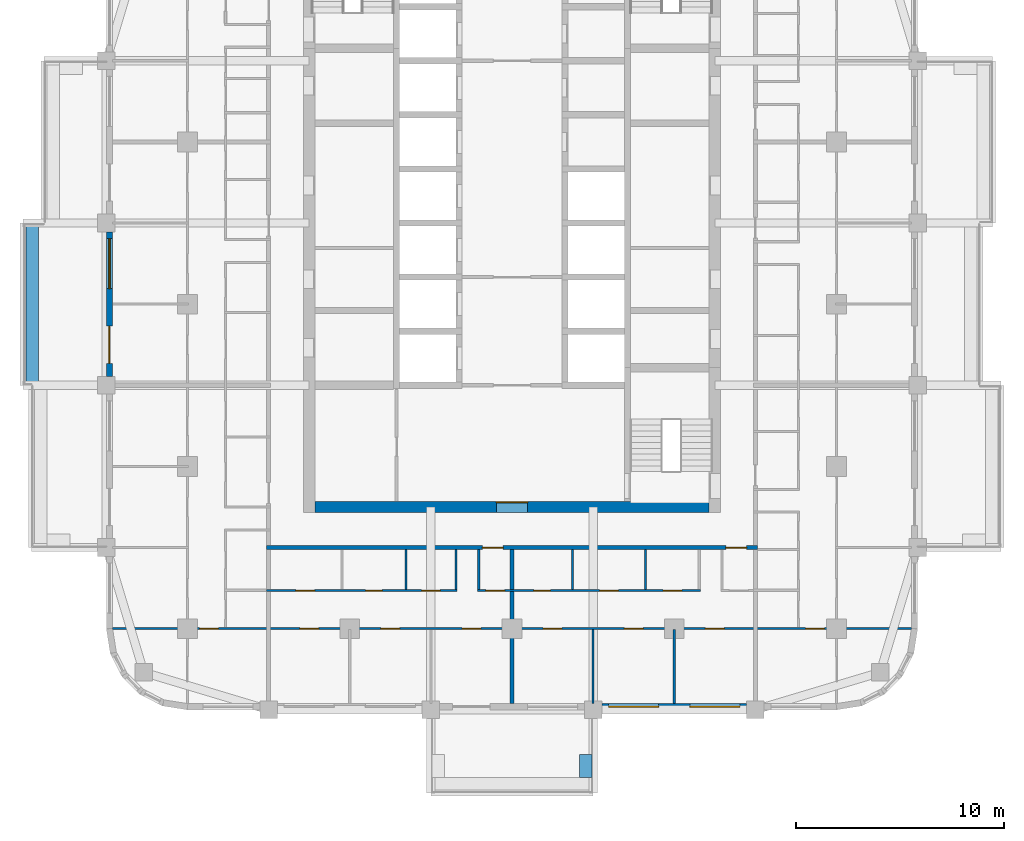
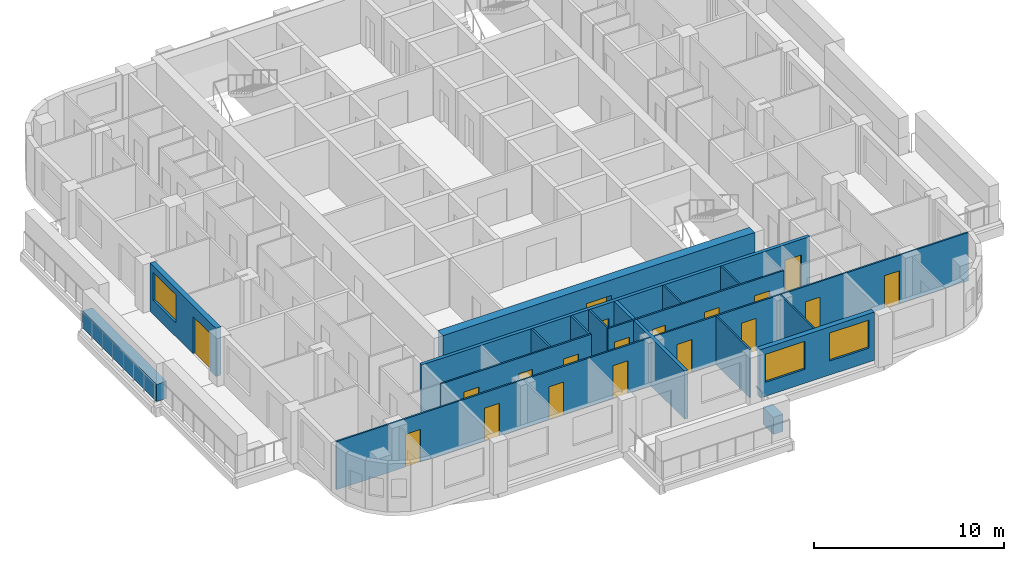
# One storey, part 3 of 14: 19 doors, 17 walls, 3 windows, 22 openings.
"""IFC4 building model written with IfcOpenShell, lengths in metres."""

from ifc_helpers import new_model, si_unit, direction, frame, frame_2d, origin, place, context, subcontext, project, spatial, rectangle, extrude, material, layer, layer_set, type_object, element, fill, save


model = new_model("IFC4")

# Units and contexts
model_context = context("Model", 3, precision=1e-05, world=origin(), true_north=direction((0.0, 1.0)))
body_context = subcontext(model_context, "Body", "Model", "MODEL_VIEW")
ifc_project = project(units=[si_unit("LENGTHUNIT", "METRE"), si_unit("AREAUNIT", "SQUARE_METRE"), si_unit("VOLUMEUNIT", "CUBIC_METRE"), si_unit("PLANEANGLEUNIT", "RADIAN"), si_unit("MASSUNIT", "GRAM", prefix="KILO")], contexts=[model_context])

# Site, building, storey
site_placement = place(None, origin())
site = spatial("IfcSite", under=ifc_project, at=site_placement, CompositionType="ELEMENT")
building_placement = place(site_placement, origin())
building = spatial("IfcBuilding", under=site, at=building_placement, Name="Ludao Terraces", CompositionType="ELEMENT")
storey_placement = place(building_placement, frame((0.0, 0.0, 113.5)))
storey = spatial("IfcBuildingStorey", under=building, at=storey_placement, Name="L31", CompositionType="ELEMENT", Elevation=113.5)

# Wall, opening, door
ifc_material_1 = material(Name="Concrete C60", Category="concrete")
ifc_layer_1 = layer(ifc_material_1, 0.550048828125)
ifc_layer_set_1 = layer_set([ifc_layer_1], Name="Core wall 550 C60")
wall_type_1 = type_object("IfcWallType", Name="Core wall 550 C60", PredefinedType="SOLIDWALL", material=ifc_layer_set_1)
wall_1_placement = place(storey_placement, frame((75.52490234375, 55.25, -0.25), z_axis=(0.0, 0.0, 1.0), x_axis=(1.0, 0.0, 0.0)))
wall_1 = element("IfcWall", 1, at=wall_1_placement, inside=storey, type_object=wall_type_1, Name="Core wall L31 outer-S", PredefinedType="SOLIDWALL", context=body_context, shape_type="SweptSolid", body=[
    extrude(rectangle(XDim=18.9501953125, YDim=0.550048828125, at=frame_2d((9.47509765625, 0.0))), origin(), (0.0, 0.0, 1.0), 3.35009765625),
])
opening_1_placement = place(wall_1_placement, frame((8.72509765625, 0.0, 0.25)))
opening_1 = element("IfcOpeningElement", 2, at=opening_1_placement, cuts=wall_1, Name="Opening R09-029", PredefinedType="OPENING", context=body_context, shape_type="SweptSolid", body=[
    extrude(rectangle(XDim=1.5, YDim=2.10009765625, at=frame_2d((0.75, 1.050048828125))), frame((0.0, 0.28515625, 0.0), z_axis=(0.0, -1.0, 0.0), x_axis=(1.0, 0.0, 0.0)), (0.0, 0.0, 1.0), 0.570068359375),
])
ifc_material_2 = material(Name="Steel Q235", Category="steel")
door_type_1 = type_object("IfcDoorType", Name="INT Lobby door 1500", OperationType="DOUBLE_DOOR_SINGLE_SWING", PredefinedType="DOOR", material=ifc_material_2)
door_1_placement = place(opening_1_placement, origin())
door_1 = element("IfcDoor", 3, at=door_1_placement, inside=storey, type_object=door_type_1, Name="DOOR 029", OperationType="DOUBLE_DOOR_SINGLE_SWING", OverallHeight=2.10009765625, OverallWidth=1.5, PredefinedType="DOOR", context=body_context, shape_type="SweptSolid", body=[
    extrude(rectangle(XDim=1.5, YDim=2.10009765625, at=frame_2d((0.75, 1.050048828125))), frame((0.0, 0.26025390625, 0.0), z_axis=(0.0, -1.0, 0.0), x_axis=(1.0, 0.0, 0.0)), (0.0, 0.0, 1.0), 0.050048828125),
])
fill(opening_1, door_1)

# Walls
ifc_material_3 = material(Name="Concrete C40", Category="concrete")
ifc_layer_2 = layer(ifc_material_3, 0.60009765625)
ifc_layer_set_2 = layer_set([ifc_layer_2], Name="ENV Planter trough 600")
wall_type_2 = type_object("IfcWallType", Name="ENV Planter trough 600", PredefinedType="USERDEFINED", material=ifc_layer_set_2)
wall_2_placement = place(storey_placement, frame((88.550048828125, 42.25, 0.0), z_axis=(0.0, 0.0, 1.0), x_axis=(0.0, 1.0, 0.0)))
element("IfcWall", 4, at=wall_2_placement, inside=storey, type_object=wall_type_2, Name="PL-L31-S1-SB", ObjectType="PLANTER", PredefinedType="USERDEFINED", context=body_context, shape_type="SweptSolid", body=[
    extrude(rectangle(XDim=1.10009765625, YDim=0.60009765625, at=frame_2d((0.550048828125, 0.0))), origin(), (0.0, 0.0, 1.0), 1.10009765625),
])
wall_3_placement = place(storey_placement, frame((61.949951171875, 61.10009765625, 0.0), z_axis=(0.0, 0.0, 1.0), x_axis=(0.0, 1.0, 0.0)))
element("IfcWall", 5, at=wall_3_placement, inside=storey, type_object=wall_type_2, Name="PL-L31-W2", ObjectType="PLANTER", PredefinedType="USERDEFINED", context=body_context, shape_type="SweptSolid", body=[
    extrude(rectangle(XDim=7.7998046875, YDim=0.60009765625, at=frame_2d((3.89990234375, 0.0))), origin(), (0.0, 0.0, 1.0), 1.10009765625),
])

# Wall, openings, windows
ifc_material_4 = material(Name="Granite cladding", Category="masonry")
ifc_layer_3 = layer(ifc_material_4, 0.0400390625, Category="stone")
ifc_material_5 = material(Name="Mineral wool")
ifc_layer_4 = layer(ifc_material_5, 0.06005859375)
ifc_layer_5 = layer(ifc_material_3, 0.199951171875, Category="concrete")
ifc_layer_set_3 = layer_set([ifc_layer_3, ifc_layer_4, ifc_layer_5], Name="ENV Stone-clad wall 300")
wall_type_3 = type_object("IfcWallType", Name="ENV Stone-clad wall 300", PredefinedType="SOLIDWALL", material=ifc_layer_set_3)
wall_4_placement = place(storey_placement, frame((89.324951171875, 45.64990234375, 0.0), z_axis=(0.0, 0.0, 1.0), x_axis=(1.0, 0.0, 0.0)))
wall_4 = element("IfcWall", 6, at=wall_4_placement, inside=storey, type_object=wall_type_3, Name="EW-L31-S4", PredefinedType="SOLIDWALL", context=body_context, shape_type="SweptSolid", body=[
    extrude(rectangle(XDim=6.949951171875, YDim=0.300048828125, at=frame_2d((3.47509765625, 0.0))), origin(), (0.0, 0.0, 1.0), 3.10009765625),
])
opening_2_placement = place(wall_4_placement, frame((0.324951171875, 0.0, 0.89990234375)))
opening_2 = element("IfcOpeningElement", 7, at=opening_2_placement, cuts=wall_4, Name="Opening W1", PredefinedType="OPENING", context=body_context, shape_type="SweptSolid", body=[
    extrude(rectangle(XDim=2.39990234375, YDim=1.800048828125, at=frame_2d((1.199951171875, 0.89990234375))), frame((0.0, 0.16015625, 0.0), z_axis=(0.0, -1.0, 0.0), x_axis=(1.0, 0.0, 0.0)), (0.0, 0.0, 1.0), 0.320068359375),
])
opening_3_placement = place(wall_4_placement, frame((4.22509765625, 0.0, 0.89990234375)))
opening_3 = element("IfcOpeningElement", 8, at=opening_3_placement, cuts=wall_4, Name="Opening W1", PredefinedType="OPENING", context=body_context, shape_type="SweptSolid", body=[
    extrude(rectangle(XDim=2.39990234375, YDim=1.800048828125, at=frame_2d((1.199951171875, 0.89990234375))), frame((0.0, 0.16015625, 0.0), z_axis=(0.0, -1.0, 0.0), x_axis=(1.0, 0.0, 0.0)), (0.0, 0.0, 1.0), 0.320068359375),
])
ifc_material_6 = material(Name="Clear glass in aluminium frame", Category="aluminium")
ifc_layer_6 = layer(ifc_material_6, 0.06005859375)
ifc_layer_set_4 = layer_set([ifc_layer_6], Name="ENV Window W1 2400x1800")
window_type = type_object("IfcWindowType", Name="ENV Window W1 2400x1800", PartitioningType="DOUBLE_PANEL_VERTICAL", PredefinedType="WINDOW", material=ifc_layer_set_4)
window_1_placement = place(opening_2_placement, origin())
window_1 = element("IfcWindow", 9, at=window_1_placement, inside=storey, type_object=window_type, Name="W-L31-S4-1", OverallHeight=1.800048828125, OverallWidth=2.39990234375, PartitioningType="DOUBLE_PANEL_VERTICAL", PredefinedType="WINDOW", context=body_context, shape_type="SweptSolid", body=[
    extrude(rectangle(XDim=2.39990234375, YDim=1.800048828125, at=frame_2d((1.199951171875, 0.89990234375))), frame((0.0, 0.030029296875, 0.0), z_axis=(0.0, -1.0, 0.0), x_axis=(1.0, 0.0, 0.0)), (0.0, 0.0, 1.0), 0.06005859375),
])
fill(opening_2, window_1)
window_2_placement = place(opening_3_placement, origin())
window_2 = element("IfcWindow", 10, at=window_2_placement, inside=storey, type_object=window_type, Name="W-L31-S4-2", OverallHeight=1.800048828125, OverallWidth=2.39990234375, PartitioningType="DOUBLE_PANEL_VERTICAL", PredefinedType="WINDOW", context=body_context, shape_type="SweptSolid", body=[
    extrude(rectangle(XDim=2.39990234375, YDim=1.800048828125, at=frame_2d((1.199951171875, 0.89990234375))), frame((0.0, 0.030029296875, 0.0), z_axis=(0.0, -1.0, 0.0), x_axis=(1.0, 0.0, 0.0)), (0.0, 0.0, 1.0), 0.06005859375),
])
fill(opening_3, window_2)

# Wall, openings, door, window
wall_5_placement = place(storey_placement, frame((65.64990234375, 61.52490234375, 0.0), z_axis=(0.0, 0.0, 1.0), x_axis=(0.0, 1.0, 0.0)))
wall_5 = element("IfcWall", 11, at=wall_5_placement, inside=storey, type_object=wall_type_3, Name="EW-L31-W3", PredefinedType="SOLIDWALL", context=body_context, shape_type="SweptSolid", body=[
    extrude(rectangle(XDim=6.9501953125, YDim=0.300048828125, at=frame_2d((3.47509765625, 0.0))), origin(), (0.0, 0.0, 1.0), 3.10009765625),
])
opening_4_placement = place(wall_5_placement, frame((0.625, 0.0, 0.0)))
opening_4 = element("IfcOpeningElement", 12, at=opening_4_placement, cuts=wall_5, Name="Opening BD", PredefinedType="OPENING", context=body_context, shape_type="SweptSolid", body=[
    extrude(rectangle(XDim=1.800048828125, YDim=2.39990234375, at=frame_2d((0.89990234375, 1.199951171875))), frame((0.0, 0.16015625, 0.0), z_axis=(0.0, -1.0, 0.0), x_axis=(1.0, 0.0, 0.0)), (0.0, 0.0, 1.0), 0.320068359375),
])
opening_5_placement = place(wall_5_placement, frame((4.22509765625, 0.0, 0.89990234375)))
opening_5 = element("IfcOpeningElement", 13, at=opening_5_placement, cuts=wall_5, Name="Opening W1", PredefinedType="OPENING", context=body_context, shape_type="SweptSolid", body=[
    extrude(rectangle(XDim=2.39990234375, YDim=1.800048828125, at=frame_2d((1.199951171875, 0.89990234375))), frame((0.0, 0.16015625, 0.0), z_axis=(0.0, -1.0, 0.0), x_axis=(1.0, 0.0, 0.0)), (0.0, 0.0, 1.0), 0.320068359375),
])
ifc_material_7 = material(Name="Aluminium glazed door", Category="aluminium")
ifc_layer_7 = layer(ifc_material_7, 0.06005859375)
ifc_layer_set_5 = layer_set([ifc_layer_7], Name="ENV Balcony door BD 1800x2400")
door_type_2 = type_object("IfcDoorType", Name="ENV Balcony door BD 1800x2400", OperationType="DOUBLE_DOOR_SINGLE_SWING", PredefinedType="DOOR", material=ifc_layer_set_5)
door_2_placement = place(opening_4_placement, origin())
door_2 = element("IfcDoor", 14, at=door_2_placement, inside=storey, type_object=door_type_2, Name="BD-L31-W3-1", OperationType="DOUBLE_DOOR_SINGLE_SWING", OverallHeight=2.39990234375, OverallWidth=1.800048828125, PredefinedType="DOOR", context=body_context, shape_type="SweptSolid", body=[
    extrude(rectangle(XDim=1.800048828125, YDim=2.39990234375, at=frame_2d((0.89990234375, 1.199951171875))), frame((0.0, 0.02490234375, 0.0), z_axis=(0.0, -1.0, 0.0), x_axis=(1.0, 0.0, 0.0)), (0.0, 0.0, 1.0), 0.050048828125),
])
fill(opening_4, door_2)
window_3_placement = place(opening_5_placement, origin())
window_3 = element("IfcWindow", 15, at=window_3_placement, inside=storey, type_object=window_type, Name="W-L31-W3-2", OverallHeight=1.800048828125, OverallWidth=2.39990234375, PartitioningType="DOUBLE_PANEL_VERTICAL", PredefinedType="WINDOW", context=body_context, shape_type="SweptSolid", body=[
    extrude(rectangle(XDim=2.39990234375, YDim=1.800048828125, at=frame_2d((1.199951171875, 0.89990234375))), frame((0.0, 0.030029296875, 0.0), z_axis=(0.0, -1.0, 0.0), x_axis=(1.0, 0.0, 0.0)), (0.0, 0.0, 1.0), 0.06005859375),
])
fill(opening_5, window_3)

# Wall, openings, doors
ifc_material_8 = material(Name="Autoclaved aerated concrete block B06 A3.5", Category="concrete")
ifc_layer_8 = layer(ifc_material_8, 0.199951171875)
ifc_layer_set_6 = layer_set([ifc_layer_8], Name="INT Entrance wall 200")
wall_type_4 = type_object("IfcWallType", Name="INT Entrance wall 200", PredefinedType="PARTITIONING", material=ifc_layer_set_6)
wall_6_placement = place(storey_placement, frame((73.2001953125, 53.300048828125, 0.0), z_axis=(0.0, 0.0, 1.0), x_axis=(1.0, 0.0, 0.0)))
wall_6 = element("IfcWall", 16, at=wall_6_placement, inside=storey, type_object=wall_type_4, Name="PW-L31-PW008", PredefinedType="PARTITIONING", context=body_context, shape_type="SweptSolid", body=[
    extrude(rectangle(XDim=23.599853515625, YDim=0.199951171875, at=frame_2d((11.7998046875, 0.0))), origin(), (0.0, 0.0, 1.0), 3.10009765625),
])
opening_6_placement = place(wall_6_placement, frame((10.375, 0.0, 0.0)))
opening_6 = element("IfcOpeningElement", 17, at=opening_6_placement, cuts=wall_6, Name="Opening R09-025", PredefinedType="OPENING", context=body_context, shape_type="SweptSolid", body=[
    extrude(rectangle(XDim=1.0, YDim=2.10009765625, at=frame_2d((0.5, 1.050048828125))), frame((0.0, 0.10986328125, 0.0), z_axis=(0.0, -1.0, 0.0), x_axis=(1.0, 0.0, 0.0)), (0.0, 0.0, 1.0), 0.219970703125),
])
opening_7_placement = place(wall_6_placement, frame((22.074951171875, 0.0, 0.0)))
opening_7 = element("IfcOpeningElement", 18, at=opening_7_placement, cuts=wall_6, Name="Opening R09-026", PredefinedType="OPENING", context=body_context, shape_type="SweptSolid", body=[
    extrude(rectangle(XDim=1.0, YDim=2.10009765625, at=frame_2d((0.5, 1.050048828125))), frame((0.0, 0.10986328125, 0.0), z_axis=(0.0, -1.0, 0.0), x_axis=(1.0, 0.0, 0.0)), (0.0, 0.0, 1.0), 0.219970703125),
])
door_type_3 = type_object("IfcDoorType", Name="INT Flat entrance door 1000", OperationType="SINGLE_SWING_LEFT", PredefinedType="DOOR", material=ifc_material_2)
door_3_placement = place(opening_6_placement, origin())
door_3 = element("IfcDoor", 19, at=door_3_placement, inside=storey, type_object=door_type_3, Name="DOOR 025", OperationType="SINGLE_SWING_LEFT", OverallHeight=2.10009765625, OverallWidth=1.0, PredefinedType="DOOR", context=body_context, shape_type="SweptSolid", body=[
    extrude(rectangle(XDim=1.0, YDim=2.10009765625, at=frame_2d((0.5, 1.050048828125))), frame((0.0, 0.02490234375, 0.0), z_axis=(0.0, -1.0, 0.0), x_axis=(1.0, 0.0, 0.0)), (0.0, 0.0, 1.0), 0.050048828125),
])
fill(opening_6, door_3)
door_4_placement = place(opening_7_placement, origin())
door_4 = element("IfcDoor", 20, at=door_4_placement, inside=storey, type_object=door_type_3, Name="DOOR 026", OperationType="SINGLE_SWING_LEFT", OverallHeight=2.10009765625, OverallWidth=1.0, PredefinedType="DOOR", context=body_context, shape_type="SweptSolid", body=[
    extrude(rectangle(XDim=1.0, YDim=2.10009765625, at=frame_2d((0.5, 1.050048828125))), frame((0.0, 0.02490234375, 0.0), z_axis=(0.0, -1.0, 0.0), x_axis=(1.0, 0.0, 0.0)), (0.0, 0.0, 1.0), 0.050048828125),
])
fill(opening_7, door_4)

ifc_material_9 = material(Name="Gypsum plasterboard", Category="gypsum")
ifc_layer_9 = layer(ifc_material_9, 0.012451171875, Category="gypsum")
ifc_layer_10 = layer(ifc_material_5, 0.06005859375, Name="insulation")
ifc_layer_11 = layer(ifc_material_2, 0.014892578125, Name="stud")
ifc_layer_12 = layer(ifc_material_9, 0.012451171875, Category="gypsum")
ifc_layer_set_7 = layer_set([ifc_layer_9, ifc_layer_10, ifc_layer_11, ifc_layer_12], Name="INT Partition 100")
wall_type_5 = type_object("IfcWallType", Name="INT Partition 100", PredefinedType="PARTITIONING", material=ifc_layer_set_7)
wall_7_placement = place(storey_placement, frame((65.800048828125, 49.39990234375, 0.0), z_axis=(0.0, 0.0, 1.0), x_axis=(1.0, 0.0, 0.0)))
wall_7 = element("IfcWall", 21, at=wall_7_placement, inside=storey, type_object=wall_type_5, Name="PW-L31-PW000", PredefinedType="PARTITIONING", context=body_context, shape_type="SweptSolid", body=[
    extrude(rectangle(XDim=38.400146484375, YDim=0.10009765625, at=frame_2d((19.2001953125, 0.0))), origin(), (0.0, 0.0, 1.0), 3.10009765625),
])
opening_8_placement = place(wall_7_placement, frame((4.18994140625, 0.0, 0.0)))
opening_8 = element("IfcOpeningElement", 22, at=opening_8_placement, cuts=wall_7, Name="Opening R09-003", PredefinedType="OPENING", context=body_context, shape_type="SweptSolid", body=[
    extrude(rectangle(XDim=0.89990234375, YDim=2.10009765625, at=frame_2d((0.449951171875, 1.050048828125))), frame((0.0, 0.06005859375, 0.0), z_axis=(0.0, -1.0, 0.0), x_axis=(1.0, 0.0, 0.0)), (0.0, 0.0, 1.0), 0.1201171875),
])
opening_9_placement = place(wall_7_placement, frame((9.0, 0.0, 0.0)))
opening_9 = element("IfcOpeningElement", 23, at=opening_9_placement, cuts=wall_7, Name="Opening R09-004", PredefinedType="OPENING", context=body_context, shape_type="SweptSolid", body=[
    extrude(rectangle(XDim=0.89990234375, YDim=2.10009765625, at=frame_2d((0.449951171875, 1.050048828125))), frame((0.0, 0.06005859375, 0.0), z_axis=(0.0, -1.0, 0.0), x_axis=(1.0, 0.0, 0.0)), (0.0, 0.0, 1.0), 0.1201171875),
])
opening_10_placement = place(wall_7_placement, frame((12.89990234375, 0.0, 0.0)))
opening_10 = element("IfcOpeningElement", 24, at=opening_10_placement, cuts=wall_7, Name="Opening R09-005", PredefinedType="OPENING", context=body_context, shape_type="SweptSolid", body=[
    extrude(rectangle(XDim=0.89990234375, YDim=2.10009765625, at=frame_2d((0.449951171875, 1.050048828125))), frame((0.0, 0.06005859375, 0.0), z_axis=(0.0, -1.0, 0.0), x_axis=(1.0, 0.0, 0.0)), (0.0, 0.0, 1.0), 0.1201171875),
])
opening_11_placement = place(wall_7_placement, frame((16.800048828125, 0.0, 0.0)))
opening_11 = element("IfcOpeningElement", 25, at=opening_11_placement, cuts=wall_7, Name="Opening R09-006", PredefinedType="OPENING", context=body_context, shape_type="SweptSolid", body=[
    extrude(rectangle(XDim=0.89990234375, YDim=2.10009765625, at=frame_2d((0.449951171875, 1.050048828125))), frame((0.0, 0.06005859375, 0.0), z_axis=(0.0, -1.0, 0.0), x_axis=(1.0, 0.0, 0.0)), (0.0, 0.0, 1.0), 0.1201171875),
])
opening_12_placement = place(wall_7_placement, frame((20.699951171875, 0.0, 0.0)))
opening_12 = element("IfcOpeningElement", 26, at=opening_12_placement, cuts=wall_7, Name="Opening R09-007", PredefinedType="OPENING", context=body_context, shape_type="SweptSolid", body=[
    extrude(rectangle(XDim=0.89990234375, YDim=2.10009765625, at=frame_2d((0.449951171875, 1.050048828125))), frame((0.0, 0.06005859375, 0.0), z_axis=(0.0, -1.0, 0.0), x_axis=(1.0, 0.0, 0.0)), (0.0, 0.0, 1.0), 0.1201171875),
])
opening_13_placement = place(wall_7_placement, frame((24.60009765625, 0.0, 0.0)))
opening_13 = element("IfcOpeningElement", 27, at=opening_13_placement, cuts=wall_7, Name="Opening R09-008", PredefinedType="OPENING", context=body_context, shape_type="SweptSolid", body=[
    extrude(rectangle(XDim=0.89990234375, YDim=2.10009765625, at=frame_2d((0.449951171875, 1.050048828125))), frame((0.0, 0.06005859375, 0.0), z_axis=(0.0, -1.0, 0.0), x_axis=(1.0, 0.0, 0.0)), (0.0, 0.0, 1.0), 0.1201171875),
])
opening_14_placement = place(wall_7_placement, frame((28.5, 0.0, 0.0)))
opening_14 = element("IfcOpeningElement", 28, at=opening_14_placement, cuts=wall_7, Name="Opening R09-009", PredefinedType="OPENING", context=body_context, shape_type="SweptSolid", body=[
    extrude(rectangle(XDim=0.89990234375, YDim=2.10009765625, at=frame_2d((0.449951171875, 1.050048828125))), frame((0.0, 0.06005859375, 0.0), z_axis=(0.0, -1.0, 0.0), x_axis=(1.0, 0.0, 0.0)), (0.0, 0.0, 1.0), 0.1201171875),
])
opening_15_placement = place(wall_7_placement, frame((33.31005859375, 0.0, 0.0)))
opening_15 = element("IfcOpeningElement", 29, at=opening_15_placement, cuts=wall_7, Name="Opening R09-010", PredefinedType="OPENING", context=body_context, shape_type="SweptSolid", body=[
    extrude(rectangle(XDim=0.89990234375, YDim=2.10009765625, at=frame_2d((0.449951171875, 1.050048828125))), frame((0.0, 0.06005859375, 0.0), z_axis=(0.0, -1.0, 0.0), x_axis=(1.0, 0.0, 0.0)), (0.0, 0.0, 1.0), 0.1201171875),
])
ifc_material_10 = material(Name="Timber door leaf", Category="wood")
door_type_4 = type_object("IfcDoorType", Name="INT Room door 900", OperationType="SINGLE_SWING_LEFT", PredefinedType="DOOR", material=ifc_material_10)
door_5_placement = place(opening_8_placement, origin())
door_5 = element("IfcDoor", 30, at=door_5_placement, inside=storey, type_object=door_type_4, Name="DOOR 003", OperationType="SINGLE_SWING_RIGHT", OverallHeight=2.10009765625, OverallWidth=0.89990234375, PredefinedType="DOOR", context=body_context, shape_type="SweptSolid", body=[
    extrude(rectangle(XDim=0.89990234375, YDim=2.10009765625, at=frame_2d((0.449951171875, 1.050048828125))), frame((0.0, 0.02490234375, 0.0), z_axis=(0.0, -1.0, 0.0), x_axis=(1.0, 0.0, 0.0)), (0.0, 0.0, 1.0), 0.050048828125),
])
fill(opening_8, door_5)
door_6_placement = place(opening_9_placement, origin())
door_6 = element("IfcDoor", 31, at=door_6_placement, inside=storey, type_object=door_type_4, Name="DOOR 004", OperationType="SINGLE_SWING_RIGHT", OverallHeight=2.10009765625, OverallWidth=0.89990234375, PredefinedType="DOOR", context=body_context, shape_type="SweptSolid", body=[
    extrude(rectangle(XDim=0.89990234375, YDim=2.10009765625, at=frame_2d((0.449951171875, 1.050048828125))), frame((0.0, 0.02490234375, 0.0), z_axis=(0.0, -1.0, 0.0), x_axis=(1.0, 0.0, 0.0)), (0.0, 0.0, 1.0), 0.050048828125),
])
fill(opening_9, door_6)
door_7_placement = place(opening_10_placement, origin())
door_7 = element("IfcDoor", 32, at=door_7_placement, inside=storey, type_object=door_type_4, Name="DOOR 005", OperationType="SINGLE_SWING_RIGHT", OverallHeight=2.10009765625, OverallWidth=0.89990234375, PredefinedType="DOOR", context=body_context, shape_type="SweptSolid", body=[
    extrude(rectangle(XDim=0.89990234375, YDim=2.10009765625, at=frame_2d((0.449951171875, 1.050048828125))), frame((0.0, 0.02490234375, 0.0), z_axis=(0.0, -1.0, 0.0), x_axis=(1.0, 0.0, 0.0)), (0.0, 0.0, 1.0), 0.050048828125),
])
fill(opening_10, door_7)
door_8_placement = place(opening_11_placement, origin())
door_8 = element("IfcDoor", 33, at=door_8_placement, inside=storey, type_object=door_type_4, Name="DOOR 006", OperationType="SINGLE_SWING_LEFT", OverallHeight=2.10009765625, OverallWidth=0.89990234375, PredefinedType="DOOR", context=body_context, shape_type="SweptSolid", body=[
    extrude(rectangle(XDim=0.89990234375, YDim=2.10009765625, at=frame_2d((0.449951171875, 1.050048828125))), frame((0.0, 0.02490234375, 0.0), z_axis=(0.0, -1.0, 0.0), x_axis=(1.0, 0.0, 0.0)), (0.0, 0.0, 1.0), 0.050048828125),
])
fill(opening_11, door_8)
door_9_placement = place(opening_12_placement, origin())
door_9 = element("IfcDoor", 34, at=door_9_placement, inside=storey, type_object=door_type_4, Name="DOOR 007", OperationType="SINGLE_SWING_RIGHT", OverallHeight=2.10009765625, OverallWidth=0.89990234375, PredefinedType="DOOR", context=body_context, shape_type="SweptSolid", body=[
    extrude(rectangle(XDim=0.89990234375, YDim=2.10009765625, at=frame_2d((0.449951171875, 1.050048828125))), frame((0.0, 0.02490234375, 0.0), z_axis=(0.0, -1.0, 0.0), x_axis=(1.0, 0.0, 0.0)), (0.0, 0.0, 1.0), 0.050048828125),
])
fill(opening_12, door_9)
door_10_placement = place(opening_13_placement, origin())
door_10 = element("IfcDoor", 35, at=door_10_placement, inside=storey, type_object=door_type_4, Name="DOOR 008", OperationType="SINGLE_SWING_RIGHT", OverallHeight=2.10009765625, OverallWidth=0.89990234375, PredefinedType="DOOR", context=body_context, shape_type="SweptSolid", body=[
    extrude(rectangle(XDim=0.89990234375, YDim=2.10009765625, at=frame_2d((0.449951171875, 1.050048828125))), frame((0.0, 0.02490234375, 0.0), z_axis=(0.0, -1.0, 0.0), x_axis=(1.0, 0.0, 0.0)), (0.0, 0.0, 1.0), 0.050048828125),
])
fill(opening_13, door_10)
door_11_placement = place(opening_14_placement, origin())
door_11 = element("IfcDoor", 36, at=door_11_placement, inside=storey, type_object=door_type_4, Name="DOOR 009", OperationType="SINGLE_SWING_LEFT", OverallHeight=2.10009765625, OverallWidth=0.89990234375, PredefinedType="DOOR", context=body_context, shape_type="SweptSolid", body=[
    extrude(rectangle(XDim=0.89990234375, YDim=2.10009765625, at=frame_2d((0.449951171875, 1.050048828125))), frame((0.0, 0.02490234375, 0.0), z_axis=(0.0, -1.0, 0.0), x_axis=(1.0, 0.0, 0.0)), (0.0, 0.0, 1.0), 0.050048828125),
])
fill(opening_14, door_11)
door_12_placement = place(opening_15_placement, origin())
door_12 = element("IfcDoor", 37, at=door_12_placement, inside=storey, type_object=door_type_4, Name="DOOR 010", OperationType="SINGLE_SWING_LEFT", OverallHeight=2.10009765625, OverallWidth=0.89990234375, PredefinedType="DOOR", context=body_context, shape_type="SweptSolid", body=[
    extrude(rectangle(XDim=0.89990234375, YDim=2.10009765625, at=frame_2d((0.449951171875, 1.050048828125))), frame((0.0, 0.02490234375, 0.0), z_axis=(0.0, -1.0, 0.0), x_axis=(1.0, 0.0, 0.0)), (0.0, 0.0, 1.0), 0.050048828125),
])
fill(opening_15, door_12)

wall_8_placement = place(storey_placement, frame((73.2001953125, 51.22998046875, 0.0), z_axis=(0.0, 0.0, 1.0), x_axis=(1.0, 0.0, 0.0)))
wall_8 = element("IfcWall", 38, at=wall_8_placement, inside=storey, type_object=wall_type_5, Name="PW-L31-PW001", PredefinedType="PARTITIONING", context=body_context, shape_type="SweptSolid", body=[
    extrude(rectangle(XDim=9.14990234375, YDim=0.10009765625, at=frame_2d((4.574951171875, 0.0))), origin(), (0.0, 0.0, 1.0), 3.10009765625),
])
opening_16_placement = place(wall_8_placement, frame((1.409912109375, 0.0, 0.0)))
opening_16 = element("IfcOpeningElement", 39, at=opening_16_placement, cuts=wall_8, Name="Opening R09-013", PredefinedType="OPENING", context=body_context, shape_type="SweptSolid", body=[
    extrude(rectangle(XDim=0.89990234375, YDim=2.10009765625, at=frame_2d((0.449951171875, 1.050048828125))), frame((0.0, 0.06005859375, 0.0), z_axis=(0.0, -1.0, 0.0), x_axis=(1.0, 0.0, 0.0)), (0.0, 0.0, 1.0), 0.1201171875),
])
opening_17_placement = place(wall_8_placement, frame((4.760009765625, 0.0, 0.0)))
opening_17 = element("IfcOpeningElement", 40, at=opening_17_placement, cuts=wall_8, Name="Opening R09-014", PredefinedType="OPENING", context=body_context, shape_type="SweptSolid", body=[
    extrude(rectangle(XDim=0.800048828125, YDim=2.10009765625, at=frame_2d((0.39990234375, 1.050048828125))), frame((0.0, 0.06005859375, 0.0), z_axis=(0.0, -1.0, 0.0), x_axis=(1.0, 0.0, 0.0)), (0.0, 0.0, 1.0), 0.1201171875),
])
opening_18_placement = place(wall_8_placement, frame((7.449951171875, 0.0, 0.0)))
opening_18 = element("IfcOpeningElement", 41, at=opening_18_placement, cuts=wall_8, Name="Opening R09-015", PredefinedType="OPENING", context=body_context, shape_type="SweptSolid", body=[
    extrude(rectangle(XDim=0.89990234375, YDim=2.10009765625, at=frame_2d((0.449951171875, 1.050048828125))), frame((0.0, 0.06005859375, 0.0), z_axis=(0.0, -1.0, 0.0), x_axis=(1.0, 0.0, 0.0)), (0.0, 0.0, 1.0), 0.1201171875),
])
door_type_5 = type_object("IfcDoorType", Name="INT Bathroom door 900", OperationType="SINGLE_SWING_LEFT", PredefinedType="DOOR", material=ifc_material_10)
door_13_placement = place(opening_18_placement, origin())
door_13 = element("IfcDoor", 42, at=door_13_placement, inside=storey, type_object=door_type_5, Name="DOOR 015", OperationType="SINGLE_SWING_LEFT", OverallHeight=2.10009765625, OverallWidth=0.89990234375, PredefinedType="DOOR", context=body_context, shape_type="SweptSolid", body=[
    extrude(rectangle(XDim=0.89990234375, YDim=2.10009765625, at=frame_2d((0.449951171875, 1.050048828125))), frame((0.0, 0.02490234375, 0.0), z_axis=(0.0, -1.0, 0.0), x_axis=(1.0, 0.0, 0.0)), (0.0, 0.0, 1.0), 0.050048828125),
])
fill(opening_18, door_13)
door_14_placement = place(opening_16_placement, origin())
door_14 = element("IfcDoor", 43, at=door_14_placement, inside=storey, type_object=door_type_4, Name="DOOR 013", OperationType="SINGLE_SWING_LEFT", OverallHeight=2.10009765625, OverallWidth=0.89990234375, PredefinedType="DOOR", context=body_context, shape_type="SweptSolid", body=[
    extrude(rectangle(XDim=0.89990234375, YDim=2.10009765625, at=frame_2d((0.449951171875, 1.050048828125))), frame((0.0, 0.02490234375, 0.0), z_axis=(0.0, -1.0, 0.0), x_axis=(1.0, 0.0, 0.0)), (0.0, 0.0, 1.0), 0.050048828125),
])
fill(opening_16, door_14)
door_type_6 = type_object("IfcDoorType", Name="INT Store door 800", OperationType="SINGLE_SWING_LEFT", PredefinedType="DOOR", material=ifc_material_10)
door_15_placement = place(opening_17_placement, origin())
door_15 = element("IfcDoor", 44, at=door_15_placement, inside=storey, type_object=door_type_6, Name="DOOR 014", OperationType="SINGLE_SWING_LEFT", OverallHeight=2.10009765625, OverallWidth=0.800048828125, PredefinedType="DOOR", context=body_context, shape_type="SweptSolid", body=[
    extrude(rectangle(XDim=0.800048828125, YDim=2.10009765625, at=frame_2d((0.39990234375, 1.050048828125))), frame((0.0, 0.02490234375, 0.0), z_axis=(0.0, -1.0, 0.0), x_axis=(1.0, 0.0, 0.0)), (0.0, 0.0, 1.0), 0.050048828125),
])
fill(opening_17, door_15)

wall_9_placement = place(storey_placement, frame((83.35009765625, 51.22998046875, 0.0), z_axis=(0.0, 0.0, 1.0), x_axis=(1.0, 0.0, 0.0)))
wall_9 = element("IfcWall", 45, at=wall_9_placement, inside=storey, type_object=wall_type_5, Name="PW-L31-PW002", PredefinedType="PARTITIONING", context=body_context, shape_type="SweptSolid", body=[
    extrude(rectangle(XDim=10.699951171875, YDim=0.10009765625, at=frame_2d((5.35009765625, 0.0))), origin(), (0.0, 0.0, 1.0), 3.10009765625),
])
opening_19_placement = place(wall_9_placement, frame((0.39990234375, 0.0, 0.0)))
opening_19 = element("IfcOpeningElement", 46, at=opening_19_placement, cuts=wall_9, Name="Opening R09-016", PredefinedType="OPENING", context=body_context, shape_type="SweptSolid", body=[
    extrude(rectangle(XDim=0.89990234375, YDim=2.10009765625, at=frame_2d((0.449951171875, 1.050048828125))), frame((0.0, 0.06005859375, 0.0), z_axis=(0.0, -1.0, 0.0), x_axis=(1.0, 0.0, 0.0)), (0.0, 0.0, 1.0), 0.1201171875),
])
opening_20_placement = place(wall_9_placement, frame((2.699951171875, 0.0, 0.0)))
opening_20 = element("IfcOpeningElement", 47, at=opening_20_placement, cuts=wall_9, Name="Opening R09-017", PredefinedType="OPENING", context=body_context, shape_type="SweptSolid", body=[
    extrude(rectangle(XDim=0.800048828125, YDim=2.10009765625, at=frame_2d((0.39990234375, 1.050048828125))), frame((0.0, 0.06005859375, 0.0), z_axis=(0.0, -1.0, 0.0), x_axis=(1.0, 0.0, 0.0)), (0.0, 0.0, 1.0), 0.1201171875),
])
opening_21_placement = place(wall_9_placement, frame((5.860107421875, 0.0, 0.0)))
opening_21 = element("IfcOpeningElement", 48, at=opening_21_placement, cuts=wall_9, Name="Opening R09-018", PredefinedType="OPENING", context=body_context, shape_type="SweptSolid", body=[
    extrude(rectangle(XDim=0.89990234375, YDim=2.10009765625, at=frame_2d((0.449951171875, 1.050048828125))), frame((0.0, 0.06005859375, 0.0), z_axis=(0.0, -1.0, 0.0), x_axis=(1.0, 0.0, 0.0)), (0.0, 0.0, 1.0), 0.1201171875),
])
opening_22_placement = place(wall_9_placement, frame((8.909912109375, 0.0, 0.0)))
opening_22 = element("IfcOpeningElement", 49, at=opening_22_placement, cuts=wall_9, Name="Opening R09-019", PredefinedType="OPENING", context=body_context, shape_type="SweptSolid", body=[
    extrude(rectangle(XDim=0.89990234375, YDim=2.10009765625, at=frame_2d((0.449951171875, 1.050048828125))), frame((0.0, 0.06005859375, 0.0), z_axis=(0.0, -1.0, 0.0), x_axis=(1.0, 0.0, 0.0)), (0.0, 0.0, 1.0), 0.1201171875),
])
door_16_placement = place(opening_19_placement, origin())
door_16 = element("IfcDoor", 50, at=door_16_placement, inside=storey, type_object=door_type_5, Name="DOOR 016", OperationType="SINGLE_SWING_RIGHT", OverallHeight=2.10009765625, OverallWidth=0.89990234375, PredefinedType="DOOR", context=body_context, shape_type="SweptSolid", body=[
    extrude(rectangle(XDim=0.89990234375, YDim=2.10009765625, at=frame_2d((0.449951171875, 1.050048828125))), frame((0.0, 0.02490234375, 0.0), z_axis=(0.0, -1.0, 0.0), x_axis=(1.0, 0.0, 0.0)), (0.0, 0.0, 1.0), 0.050048828125),
])
fill(opening_19, door_16)
door_17_placement = place(opening_22_placement, origin())
door_17 = element("IfcDoor", 51, at=door_17_placement, inside=storey, type_object=door_type_5, Name="DOOR 019", OperationType="SINGLE_SWING_LEFT", OverallHeight=2.10009765625, OverallWidth=0.89990234375, PredefinedType="DOOR", context=body_context, shape_type="SweptSolid", body=[
    extrude(rectangle(XDim=0.89990234375, YDim=2.10009765625, at=frame_2d((0.449951171875, 1.050048828125))), frame((0.0, 0.02490234375, 0.0), z_axis=(0.0, -1.0, 0.0), x_axis=(1.0, 0.0, 0.0)), (0.0, 0.0, 1.0), 0.050048828125),
])
fill(opening_22, door_17)
door_18_placement = place(opening_21_placement, origin())
door_18 = element("IfcDoor", 52, at=door_18_placement, inside=storey, type_object=door_type_4, Name="DOOR 018", OperationType="SINGLE_SWING_LEFT", OverallHeight=2.10009765625, OverallWidth=0.89990234375, PredefinedType="DOOR", context=body_context, shape_type="SweptSolid", body=[
    extrude(rectangle(XDim=0.89990234375, YDim=2.10009765625, at=frame_2d((0.449951171875, 1.050048828125))), frame((0.0, 0.02490234375, 0.0), z_axis=(0.0, -1.0, 0.0), x_axis=(1.0, 0.0, 0.0)), (0.0, 0.0, 1.0), 0.050048828125),
])
fill(opening_21, door_18)
door_19_placement = place(opening_20_placement, origin())
door_19 = element("IfcDoor", 53, at=door_19_placement, inside=storey, type_object=door_type_6, Name="DOOR 017", OperationType="SINGLE_SWING_LEFT", OverallHeight=2.10009765625, OverallWidth=0.800048828125, PredefinedType="DOOR", context=body_context, shape_type="SweptSolid", body=[
    extrude(rectangle(XDim=0.800048828125, YDim=2.10009765625, at=frame_2d((0.39990234375, 1.050048828125))), frame((0.0, 0.02490234375, 0.0), z_axis=(0.0, -1.0, 0.0), x_axis=(1.0, 0.0, 0.0)), (0.0, 0.0, 1.0), 0.050048828125),
])
fill(opening_20, door_19)

# Walls
for number, where, z_axis, x_axis, name in (
    (54, (79.89990234375, 51.280029296875, 0.0), (0.0, 0.0, 1.0), (0.0, 1.0, 0.0), "PW-L31-PW060"),
    (55, (82.300048828125, 51.280029296875, 0.0), (0.0, 0.0, 1.0), (0.0, 1.0, 0.0), "PW-L31-PW062"),
    (56, (83.39990234375, 51.280029296875, 0.0), (0.0, 0.0, 1.0), (0.0, 1.0, 0.0), "PW-L31-PW063"),
    (57, (87.89990234375, 51.280029296875, 0.0), (0.0, 0.0, 1.0), (0.0, 1.0, 0.0), "PW-L31-PW065"),
):
    element("IfcWall", number, at=place(storey_placement, frame(where, z_axis=z_axis, x_axis=x_axis)), inside=storey, type_object=wall_type_5, Name=name, PredefinedType="PARTITIONING", context=body_context, shape_type="SweptSolid", body=[
        extrude(rectangle(XDim=1.920166015625, YDim=0.10009765625, at=frame_2d((0.9599609375, 0.0))), origin(), (0.0, 0.0, 1.0), 3.10009765625),
    ])
wall_10_placement = place(storey_placement, frame((88.89990234375, 45.800048828125, 0.0), z_axis=(0.0, 0.0, 1.0), x_axis=(0.0, 1.0, 0.0)))
element("IfcWall", 58, at=wall_10_placement, inside=storey, type_object=wall_type_5, Name="PW-L31-PW066", PredefinedType="PARTITIONING", context=body_context, shape_type="SweptSolid", body=[
    extrude(rectangle(XDim=3.550048828125, YDim=0.10009765625, at=frame_2d((1.77490234375, 0.0))), origin(), (0.0, 0.0, 1.0), 3.10009765625),
])
wall_11_placement = place(storey_placement, frame((91.419921875, 51.280029296875, 0.0), z_axis=(0.0, 0.0, 1.0), x_axis=(0.0, 1.0, 0.0)))
element("IfcWall", 59, at=wall_11_placement, inside=storey, type_object=wall_type_5, Name="PW-L31-PW067", PredefinedType="PARTITIONING", context=body_context, shape_type="SweptSolid", body=[
    extrude(rectangle(XDim=1.920166015625, YDim=0.10009765625, at=frame_2d((0.9599609375, 0.0))), origin(), (0.0, 0.0, 1.0), 3.10009765625),
])
wall_12_placement = place(storey_placement, frame((92.800048828125, 45.800048828125, 0.0), z_axis=(0.0, 0.0, 1.0), x_axis=(0.0, 1.0, 0.0)))
element("IfcWall", 60, at=wall_12_placement, inside=storey, type_object=wall_type_5, Name="PW-L31-PW068", PredefinedType="PARTITIONING", context=body_context, shape_type="SweptSolid", body=[
    extrude(rectangle(XDim=3.550048828125, YDim=0.10009765625, at=frame_2d((1.77490234375, 0.0))), origin(), (0.0, 0.0, 1.0), 3.10009765625),
])
ifc_layer_13 = layer(ifc_material_8, 0.199951171875)
ifc_layer_set_8 = layer_set([ifc_layer_13], Name="INT Party wall 200")
wall_type_6 = type_object("IfcWallType", Name="INT Party wall 200", PredefinedType="PARTITIONING", material=ifc_layer_set_8)
wall_13_placement = place(storey_placement, frame((85.0, 45.800048828125, 0.0), z_axis=(0.0, 0.0, 1.0), x_axis=(0.0, 1.0, 0.0)))
element("IfcWall", 61, at=wall_13_placement, inside=storey, type_object=wall_type_6, Name="PW-L31-PW064", PredefinedType="PARTITIONING", context=body_context, shape_type="SweptSolid", body=[
    extrude(rectangle(XDim=7.400146484375, YDim=0.199951171875, at=frame_2d((3.7001953125, 0.0))), origin(), (0.0, 0.0, 1.0), 3.10009765625),
])

save(model, "model.ifc")
